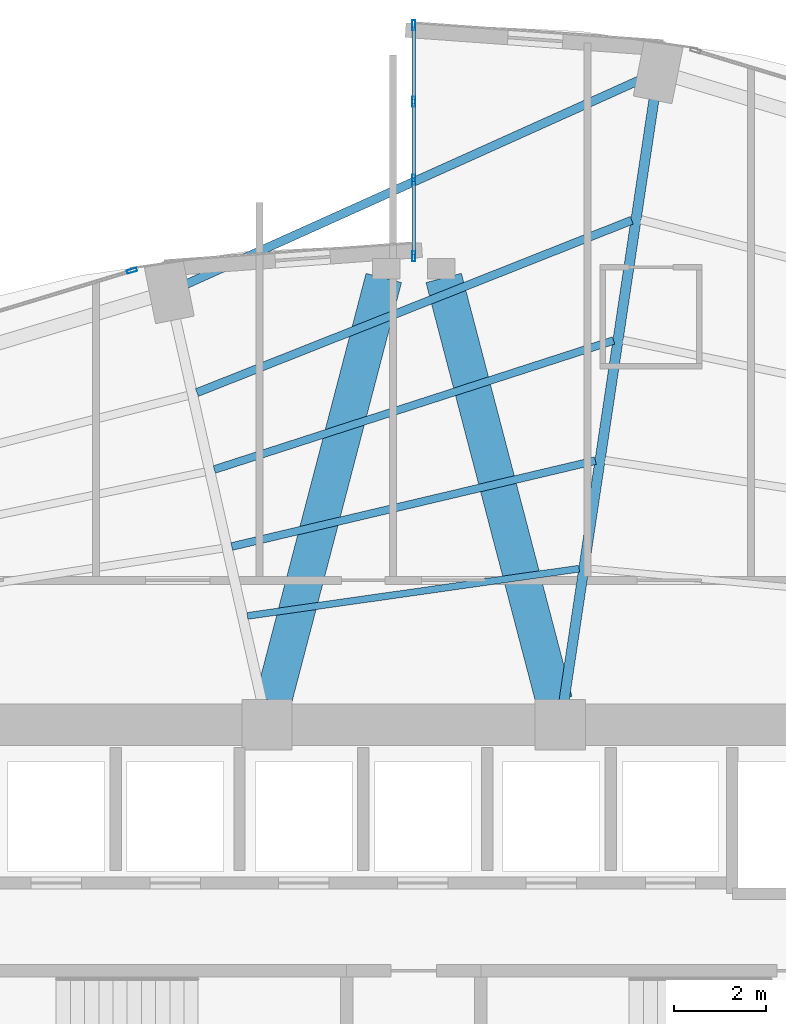
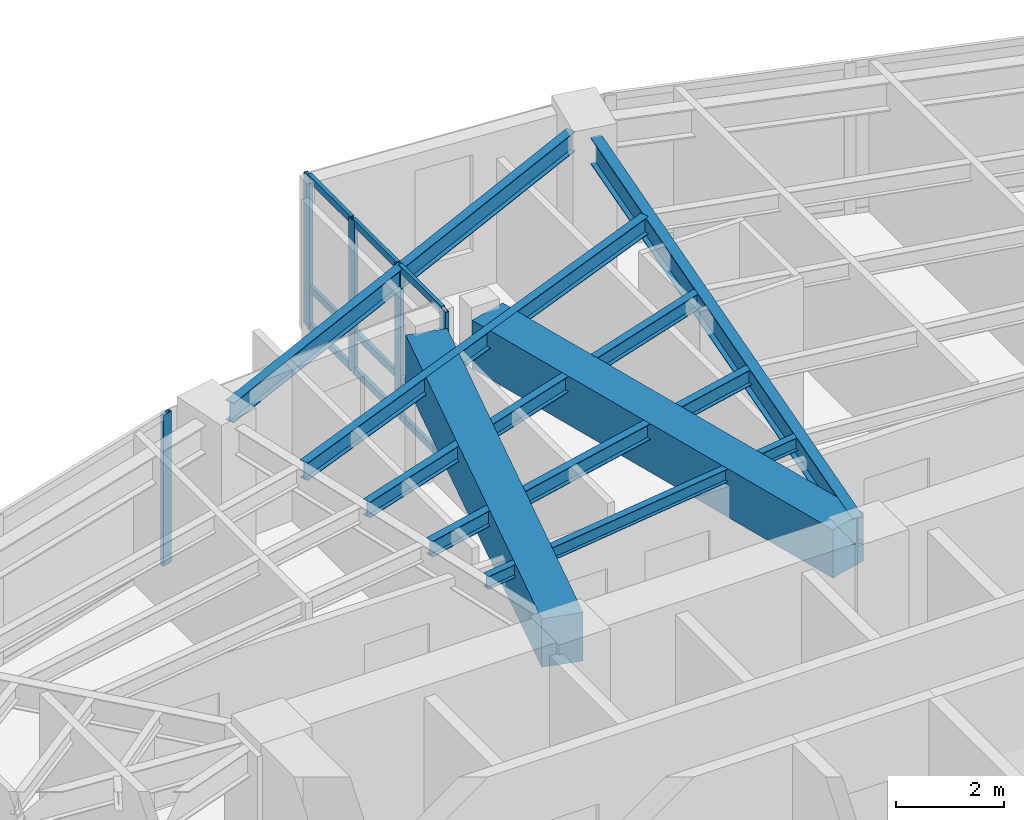
# One storey, part 16 of 25: 14 members, 8 beams, 2 elements without a shape of their own.
"""IFC4 building model written with IfcOpenShell, lengths in metres."""

from ifc_helpers import new_model, si_unit, direction, frame, origin, origin_2d, place, context, subcontext, project, spatial, rectangle, hollow_rectangle, i_section, extrude, material, layer, layer_set, material_profile, profile_set, type_object, element, aggregate, save


model = new_model("IFC4")

# Units and contexts
model_context = context("Model", 3, precision=1e-05, world=origin(), true_north=direction((0.0, 1.0)))
body_context = subcontext(model_context, "Body", "Model", "MODEL_VIEW")
ifc_project = project(units=[si_unit("LENGTHUNIT", "METRE"), si_unit("AREAUNIT", "SQUARE_METRE"), si_unit("VOLUMEUNIT", "CUBIC_METRE"), si_unit("PLANEANGLEUNIT", "RADIAN"), si_unit("MASSUNIT", "GRAM", prefix="KILO")], contexts=[model_context])

# Site, building, storey
site_placement = place(None, origin())
site = spatial("IfcSite", under=ifc_project, at=site_placement, CompositionType="ELEMENT")
building_placement = place(site_placement, origin())
building = spatial("IfcBuilding", under=site, at=building_placement, Name="Lazwardi Medical Tower", CompositionType="ELEMENT")
storey_placement = place(building_placement, frame((0.0, 0.0, 50.736083984375)))
storey = spatial("IfcBuildingStorey", under=building, at=storey_placement, Name="L12", CompositionType="ELEMENT", Elevation=50.736083984375)

# Beams
ifc_material_1 = material(Name="Concrete C70/85", Category="concrete")
ifc_material_profile_1 = material_profile(ifc_material_1, rectangle(XDim=0.800048828125, YDim=1.10009765625, at=origin_2d()), Name="RC 800x1100")
ifc_profile_set_1 = profile_set([ifc_material_profile_1], Name="Concrete C70/85")
beam_type_1 = type_object("IfcBeamType", Name="BM-CB-RC1", PredefinedType="LINTEL", material=ifc_profile_set_1)
for number, where, z_axis, x_axis, name in (
    (1, (32.935302734375, 36.11767578125, 2.8779296875), (0.252819877511, 0.967513364009, 0.0), (-0.967513364009, 0.252819877511, 0.0), "Core coupling lintel CB-01 PL1 L12"),
    (2, (39.064697265625, 36.11767578125, 2.8779296875), (-0.252819877511, 0.967513364009, 0.0), (-0.967513364009, -0.252819877511, 0.0), "Core coupling lintel CB-01 PL2 L12"),
):
    element("IfcBeam", number, at=place(storey_placement, frame(where, z_axis=z_axis, x_axis=x_axis)), inside=storey, type_object=beam_type_1, Name=name, PredefinedType="LINTEL", context=body_context, shape_type="SweptSolid", body=[
        extrude(rectangle(XDim=0.800048828125, YDim=1.10009765625, at=origin_2d()), origin(), (0.0, 0.0, 1.0), 9.538818359375),
    ])
ifc_material_2 = material(Name="Steel S355", Category="steel")
ifc_material_profile_2 = material_profile(ifc_material_2, i_section(OverallWidth=0.219970703125, OverallDepth=0.60009765625, WebThickness=0.011962890625, FlangeThickness=0.01904296875, at=origin_2d()), Name="IPE 600")
ifc_profile_set_2 = profile_set([ifc_material_profile_2], Name="Steel S355")
beam_type_2 = type_object("IfcBeamType", Name="BM-RG-W1", PredefinedType="BEAM", material=ifc_profile_set_2)
beam_1_placement = place(storey_placement, frame((41.2451171875, 49.2705078125, 3.1279296875), z_axis=(-0.147944218183, -0.98899570692, 0.0), x_axis=(0.98899570692, -0.147944218183, 0.0)))
element("IfcBeam", 3, at=beam_1_placement, inside=storey, type_object=beam_type_2, Name="Radial girder RG-02 R08 L12", PredefinedType="BEAM", context=body_context, shape_type="SweptSolid", body=[
    extrude(i_section(OverallWidth=0.219970703125, OverallDepth=0.60009765625, WebThickness=0.011962890625, FlangeThickness=0.01904296875, at=origin_2d()), origin(), (0.0, 0.0, 1.0), 13.28759765625),
])
ifc_material_profile_3 = material_profile(ifc_material_2, i_section(OverallWidth=0.179931640625, OverallDepth=0.39990234375, WebThickness=0.008544921875, FlangeThickness=0.013427734375, at=origin_2d()), Name="IPE 400")
ifc_profile_set_3 = profile_set([ifc_material_profile_3], Name="Steel S355")
beam_type_3 = type_object("IfcBeamType", Name="BM-SJ-01", PredefinedType="JOIST", material=ifc_profile_set_3)
beam_2_placement = place(storey_placement, frame((40.754150390625, 46.603515625, 3.22802734375), z_axis=(-0.929663713752, -0.368409255222, 0.0), x_axis=(0.368409255222, -0.929663713752, 0.0)))
element("IfcBeam", 4, at=beam_2_placement, inside=storey, type_object=beam_type_3, Name="Secondary joist SJ-01 R1 B08 L12", PredefinedType="JOIST", context=body_context, shape_type="SweptSolid", body=[
    extrude(i_section(OverallWidth=0.179931640625, OverallDepth=0.39990234375, WebThickness=0.008544921875, FlangeThickness=0.013427734375, at=origin_2d()), origin(), (0.0, 0.0, 1.0), 10.2001953125),
])
ifc_material_profile_4 = material_profile(ifc_material_2, i_section(OverallWidth=0.169921875, OverallDepth=0.360107421875, WebThickness=0.008056640625, FlangeThickness=0.0126953125, at=origin_2d()), Name="IPE 360")
ifc_profile_set_4 = profile_set([ifc_material_profile_4], Name="Steel S355")
beam_type_4 = type_object("IfcBeamType", Name="BM-SJ-02", PredefinedType="JOIST", material=ifc_profile_set_4)
beam_3_placement = place(storey_placement, frame((40.35888671875, 43.981689453125, 3.247802734375), z_axis=(-0.951558895485, -0.307466532199, 0.0), x_axis=(0.307466532199, -0.951558895485, 0.0)))
element("IfcBeam", 5, at=beam_3_placement, inside=storey, type_object=beam_type_4, Name="Secondary joist SJ-02 R2 B08 L12", PredefinedType="JOIST", context=body_context, shape_type="SweptSolid", body=[
    extrude(i_section(OverallWidth=0.169921875, OverallDepth=0.360107421875, WebThickness=0.008056640625, FlangeThickness=0.0126953125, at=origin_2d()), origin(), (0.0, 0.0, 1.0), 9.1513671875),
])
beam_4_placement = place(storey_placement, frame((39.96337890625, 41.361572265625, 3.247802734375), z_axis=(-0.973240904247, -0.229787167397, 0.0), x_axis=(0.229787167397, -0.973240904247, 0.0)))
element("IfcBeam", 6, at=beam_4_placement, inside=storey, type_object=beam_type_4, Name="Secondary joist SJ-02 R3 B08 L12", PredefinedType="JOIST", context=body_context, shape_type="SweptSolid", body=[
    extrude(i_section(OverallWidth=0.169921875, OverallDepth=0.360107421875, WebThickness=0.008056640625, FlangeThickness=0.0126953125, at=origin_2d()), origin(), (0.0, 0.0, 1.0), 8.151123046875),
])
ifc_material_profile_5 = material_profile(ifc_material_2, i_section(OverallWidth=0.14990234375, OverallDepth=0.300048828125, WebThickness=0.007080078125, FlangeThickness=0.0107421875, at=origin_2d()), Name="IPE 300")
ifc_profile_set_5 = profile_set([ifc_material_profile_5], Name="Steel S355")
beam_type_5 = type_object("IfcBeamType", Name="BM-SJ-03", PredefinedType="JOIST", material=ifc_profile_set_5)
beam_5_placement = place(storey_placement, frame((39.607666015625, 39.00537109375, 3.27783203125), z_axis=(-0.99001552228, -0.140958382672, 0.0), x_axis=(0.140958382672, -0.99001552228, 0.0)))
element("IfcBeam", 7, at=beam_5_placement, inside=storey, type_object=beam_type_5, Name="Secondary joist SJ-03 R4 B08 L12", PredefinedType="JOIST", context=body_context, shape_type="SweptSolid", body=[
    extrude(i_section(OverallWidth=0.14990234375, OverallDepth=0.300048828125, WebThickness=0.007080078125, FlangeThickness=0.0107421875, at=origin_2d()), origin(), (0.0, 0.0, 1.0), 7.30908203125),
])
ifc_material_profile_6 = material_profile(ifc_material_2, i_section(OverallWidth=0.18994140625, OverallDepth=0.449951171875, WebThickness=0.009521484375, FlangeThickness=0.0146484375, at=origin_2d()), Name="IPE 450")
ifc_profile_set_6 = profile_set([ifc_material_profile_6], Name="Steel S355")
beam_type_6 = type_object("IfcBeamType", Name="BM-SP-01", PredefinedType="SPANDREL", material=ifc_profile_set_6)
beam_6_placement = place(storey_placement, frame((40.94775390625, 49.671630859375, 3.202880859375), z_axis=(-0.91184908894, -0.410525564368, 0.0), x_axis=(0.410525564368, -0.91184908894, 0.0)))
element("IfcBeam", 8, at=beam_6_placement, inside=storey, type_object=beam_type_6, Name="Spandrel beam SP-01 B08 L12", PredefinedType="SPANDREL", context=body_context, shape_type="SweptSolid", body=[
    extrude(i_section(OverallWidth=0.18994140625, OverallDepth=0.449951171875, WebThickness=0.009521484375, FlangeThickness=0.0146484375, at=origin_2d()), origin(), (0.0, 0.0, 1.0), 10.85205078125),
])

# Curtain wall, member
ifc_material_3 = material(Name="Anodised bronze aluminium and solar control glazing", Category="aluminium")
ifc_layer_1 = layer(ifc_material_3, 0.199951171875)
ifc_layer_set_1 = layer_set([ifc_layer_1], Name="Anodised bronze aluminium and solar control glazing")
curtain_wall_type_1 = type_object("IfcCurtainWallType", Name="CW-SYS-02", PredefinedType="NOTDEFINED", material=ifc_layer_set_1)
curtain_wall_1_placement = place(storey_placement, origin())
curtain_wall_1 = element("IfcCurtainWall", 9, at=curtain_wall_1_placement, inside=storey, type_object=curtain_wall_type_1, Name="L12 Unitised bronze curtain wall CW-02", PredefinedType="NOTDEFINED")
ifc_material_4 = material(Name="Anodised bronze aluminium", Category="aluminium")
ifc_material_profile_7 = material_profile(ifc_material_4, hollow_rectangle(XDim=0.074951171875, YDim=0.219970703125, WallThickness=0.00390625, at=origin_2d()), Name="ALU-MULLION 220x75x4")
ifc_profile_set_7 = profile_set([ifc_material_profile_7], Name="Anodised bronze aluminium")
member_type_1 = type_object("IfcMemberType", Name="CW-MUL-01", PredefinedType="MULLION", material=ifc_profile_set_7)
member_1_placement = place(storey_placement, frame((29.85205078125, 45.503662109375, 0.0), z_axis=(0.0, 0.0, 1.0), x_axis=(0.2898956909, -0.957058247129, 0.0)))
member_1 = element("IfcMember", 10, at=member_1_placement, type_object=member_type_1, Name="CW-02 mullion 1", PredefinedType="MULLION", context=body_context, shape_type="SweptSolid", body=[
    extrude(hollow_rectangle(XDim=0.074951171875, YDim=0.219970703125, WallThickness=0.00390625, at=origin_2d()), origin(), (0.0, 0.0, 1.0), 3.427978515625),
])
aggregate(curtain_wall_1, [member_1])

# Curtain wall, members
ifc_layer_2 = layer(ifc_material_3, 0.2099609375)
ifc_layer_set_2 = layer_set([ifc_layer_2], Name="Anodised bronze aluminium and solar control glazing")
curtain_wall_type_2 = type_object("IfcCurtainWallType", Name="CW-SYS-06", PredefinedType="NOTDEFINED", material=ifc_layer_set_2)
curtain_wall_2_placement = place(storey_placement, origin())
curtain_wall_2 = element("IfcCurtainWall", 11, at=curtain_wall_2_placement, inside=storey, type_object=curtain_wall_type_2, Name="L12 Unitised bronze curtain wall CW-06", PredefinedType="NOTDEFINED")
member_2_placement = place(storey_placement, frame((36.0, 50.862548828125, 0.0), z_axis=(0.0, 0.0, 1.0), x_axis=(1.0, 0.0, 0.0)))
member_2 = element("IfcMember", 12, at=member_2_placement, type_object=member_type_1, Name="CW-06 mullion 1", PredefinedType="MULLION", context=body_context, shape_type="SweptSolid", body=[
    extrude(hollow_rectangle(XDim=0.074951171875, YDim=0.219970703125, WallThickness=0.00390625, at=origin_2d()), origin(), (0.0, 0.0, 1.0), 3.427978515625),
])
member_3_placement = place(storey_placement, frame((36.0, 49.193359375, 0.0), z_axis=(0.0, 0.0, 1.0), x_axis=(1.0, 0.0, 0.0)))
member_3 = element("IfcMember", 13, at=member_3_placement, type_object=member_type_1, Name="CW-06 mullion 2", PredefinedType="MULLION", context=body_context, shape_type="SweptSolid", body=[
    extrude(hollow_rectangle(XDim=0.074951171875, YDim=0.219970703125, WallThickness=0.00390625, at=origin_2d()), origin(), (0.0, 0.0, 1.0), 3.427978515625),
])
member_4_placement = place(storey_placement, frame((36.0, 47.486572265625, 0.0), z_axis=(0.0, 0.0, 1.0), x_axis=(1.0, 0.0, 0.0)))
member_4 = element("IfcMember", 14, at=member_4_placement, type_object=member_type_1, Name="CW-06 mullion 3", PredefinedType="MULLION", context=body_context, shape_type="SweptSolid", body=[
    extrude(hollow_rectangle(XDim=0.074951171875, YDim=0.219970703125, WallThickness=0.00390625, at=origin_2d()), origin(), (0.0, 0.0, 1.0), 3.427978515625),
])
member_5_placement = place(storey_placement, frame((36.0, 45.8173828125, 0.0), z_axis=(0.0, 0.0, 1.0), x_axis=(1.0, 0.0, 0.0)))
member_5 = element("IfcMember", 15, at=member_5_placement, type_object=member_type_1, Name="CW-06 mullion 4", PredefinedType="MULLION", context=body_context, shape_type="SweptSolid", body=[
    extrude(hollow_rectangle(XDim=0.074951171875, YDim=0.219970703125, WallThickness=0.00390625, at=origin_2d()), origin(), (0.0, 0.0, 1.0), 3.427978515625),
])
ifc_material_profile_8 = material_profile(ifc_material_4, hollow_rectangle(XDim=0.074951171875, YDim=0.159912109375, WallThickness=0.00390625, at=origin_2d()), Name="ALU-TRANSOM 160x75x4")
ifc_profile_set_8 = profile_set([ifc_material_profile_8], Name="Anodised bronze aluminium")
member_type_2 = type_object("IfcMemberType", Name="CW-TRN-01", PredefinedType="USERDEFINED", material=ifc_profile_set_8)
member_6_placement = place(storey_placement, frame((36.0, 50.824951171875, 0.037353515625), z_axis=(0.0, -1.0, 0.0), x_axis=(1.0, 0.0, 0.0)))
member_6 = element("IfcMember", 16, at=member_6_placement, type_object=member_type_2, Name="CW-06 transom 1.1", ObjectType="TRANSOM", PredefinedType="USERDEFINED", context=body_context, shape_type="SweptSolid", body=[
    extrude(hollow_rectangle(XDim=0.074951171875, YDim=0.159912109375, WallThickness=0.00390625, at=origin_2d()), origin(), (0.0, 0.0, 1.0), 1.59423828125),
])
member_7_placement = place(storey_placement, frame((36.0, 50.824951171875, 0.89990234375), z_axis=(0.0, -1.0, 0.0), x_axis=(1.0, 0.0, 0.0)))
member_7 = element("IfcMember", 17, at=member_7_placement, type_object=member_type_2, Name="CW-06 transom 1.2", ObjectType="TRANSOM", PredefinedType="USERDEFINED", context=body_context, shape_type="SweptSolid", body=[
    extrude(hollow_rectangle(XDim=0.074951171875, YDim=0.159912109375, WallThickness=0.00390625, at=origin_2d()), origin(), (0.0, 0.0, 1.0), 1.59423828125),
])
member_8_placement = place(storey_placement, frame((36.0, 50.824951171875, 3.390380859375), z_axis=(0.0, -1.0, 0.0), x_axis=(1.0, 0.0, 0.0)))
member_8 = element("IfcMember", 18, at=member_8_placement, type_object=member_type_2, Name="CW-06 transom 1.3", ObjectType="TRANSOM", PredefinedType="USERDEFINED", context=body_context, shape_type="SweptSolid", body=[
    extrude(hollow_rectangle(XDim=0.074951171875, YDim=0.159912109375, WallThickness=0.00390625, at=origin_2d()), origin(), (0.0, 0.0, 1.0), 1.59423828125),
])
member_9_placement = place(storey_placement, frame((36.0, 49.15576171875, 0.037353515625), z_axis=(0.0, -1.0, 0.0), x_axis=(1.0, 0.0, 0.0)))
member_9 = element("IfcMember", 19, at=member_9_placement, type_object=member_type_2, Name="CW-06 transom 2.1", ObjectType="TRANSOM", PredefinedType="USERDEFINED", context=body_context, shape_type="SweptSolid", body=[
    extrude(hollow_rectangle(XDim=0.074951171875, YDim=0.159912109375, WallThickness=0.00390625, at=origin_2d()), origin(), (0.0, 0.0, 1.0), 1.631591796875),
])
member_10_placement = place(storey_placement, frame((36.0, 49.15576171875, 0.89990234375), z_axis=(0.0, -1.0, 0.0), x_axis=(1.0, 0.0, 0.0)))
member_10 = element("IfcMember", 20, at=member_10_placement, type_object=member_type_2, Name="CW-06 transom 2.2", ObjectType="TRANSOM", PredefinedType="USERDEFINED", context=body_context, shape_type="SweptSolid", body=[
    extrude(hollow_rectangle(XDim=0.074951171875, YDim=0.159912109375, WallThickness=0.00390625, at=origin_2d()), origin(), (0.0, 0.0, 1.0), 1.631591796875),
])
member_11_placement = place(storey_placement, frame((36.0, 49.15576171875, 3.390380859375), z_axis=(0.0, -1.0, 0.0), x_axis=(1.0, 0.0, 0.0)))
member_11 = element("IfcMember", 21, at=member_11_placement, type_object=member_type_2, Name="CW-06 transom 2.3", ObjectType="TRANSOM", PredefinedType="USERDEFINED", context=body_context, shape_type="SweptSolid", body=[
    extrude(hollow_rectangle(XDim=0.074951171875, YDim=0.159912109375, WallThickness=0.00390625, at=origin_2d()), origin(), (0.0, 0.0, 1.0), 1.631591796875),
])
member_12_placement = place(storey_placement, frame((36.0, 47.44921875, 0.037353515625), z_axis=(0.0, -1.0, 0.0), x_axis=(1.0, 0.0, 0.0)))
member_12 = element("IfcMember", 22, at=member_12_placement, type_object=member_type_2, Name="CW-06 transom 3.1", ObjectType="TRANSOM", PredefinedType="USERDEFINED", context=body_context, shape_type="SweptSolid", body=[
    extrude(hollow_rectangle(XDim=0.074951171875, YDim=0.159912109375, WallThickness=0.00390625, at=origin_2d()), origin(), (0.0, 0.0, 1.0), 1.59423828125),
])
member_13_placement = place(storey_placement, frame((36.0, 47.44921875, 0.89990234375), z_axis=(0.0, -1.0, 0.0), x_axis=(1.0, 0.0, 0.0)))
member_13 = element("IfcMember", 23, at=member_13_placement, type_object=member_type_2, Name="CW-06 transom 3.2", ObjectType="TRANSOM", PredefinedType="USERDEFINED", context=body_context, shape_type="SweptSolid", body=[
    extrude(hollow_rectangle(XDim=0.074951171875, YDim=0.159912109375, WallThickness=0.00390625, at=origin_2d()), origin(), (0.0, 0.0, 1.0), 1.59423828125),
])
member_14_placement = place(storey_placement, frame((36.0, 47.44921875, 3.390380859375), z_axis=(0.0, -1.0, 0.0), x_axis=(1.0, 0.0, 0.0)))
member_14 = element("IfcMember", 24, at=member_14_placement, type_object=member_type_2, Name="CW-06 transom 3.3", ObjectType="TRANSOM", PredefinedType="USERDEFINED", context=body_context, shape_type="SweptSolid", body=[
    extrude(hollow_rectangle(XDim=0.074951171875, YDim=0.159912109375, WallThickness=0.00390625, at=origin_2d()), origin(), (0.0, 0.0, 1.0), 1.59423828125),
])
aggregate(curtain_wall_2, [member_2, member_3, member_4, member_5, member_6, member_7, member_8, member_9, member_10, member_11, member_12, member_13, member_14])

save(model, "model.ifc")
